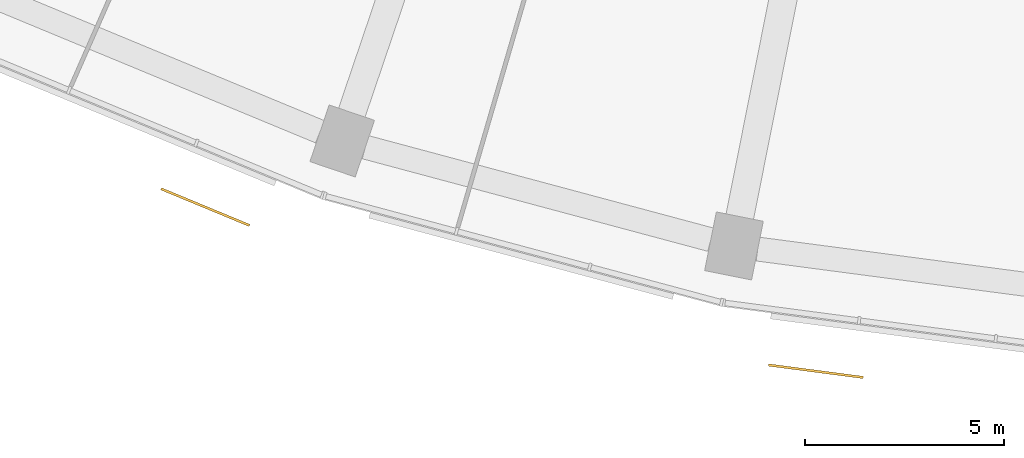
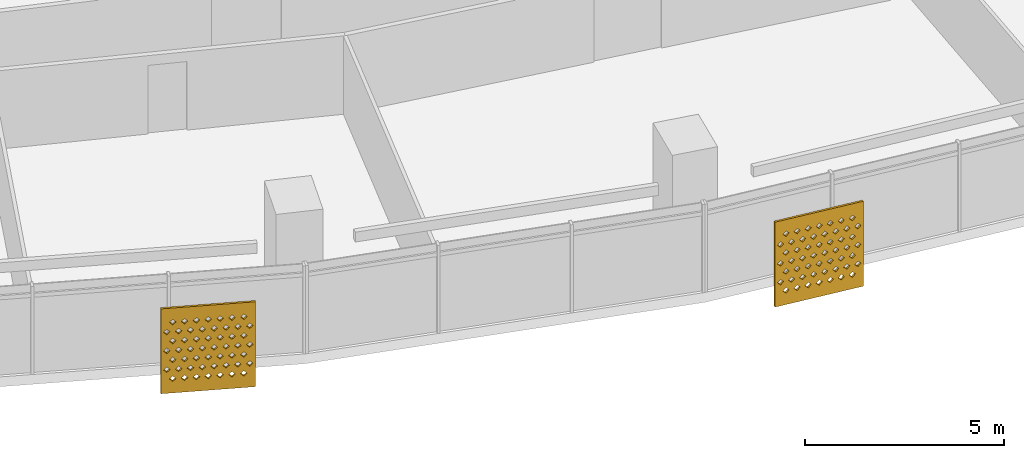
# One storey, part 25 of 29: 2 shading devices.
"""IFC4 building model written with IfcOpenShell, lengths in metres."""

import ifcopenshell
import ifcopenshell.guid

model = None  # the IFC model being written
_history = None  # IfcOwnerHistory: only IFC2X3 demands one
_inside = {}  # id of a spatial element -> (the spatial element, [elements in it])
_under = {}  # id of a project, library or spatial element -> (it, [spatial elements below it])
_declared = {}  # id of a project -> (the project, [libraries it declares])
_typed = {}  # id of a type object -> (the type object, [elements of that type])
_made_of = {}  # id of a material, layer set ... -> (it, [elements and type objects made of it])


def new_model(schema):
    """Start an empty IFC model of exactly this schema.

    Asked for "IFC4X3", IfcOpenShell would pick the latest addendum, in which some entities
    have other attributes; the version numbers below select the first issue.
    IFC2X3 requires an IfcOwnerHistory on every rooted entity: one is made here for all.
    """
    global model, _history
    if schema == "IFC4X3":
        model = ifcopenshell.file(schema_version=(4, 3, 0, 0))
    else:
        model = ifcopenshell.file(schema=schema)
    _inside.clear()
    _under.clear()
    _declared.clear()
    _typed.clear()
    _made_of.clear()
    _history = None
    if model.schema == "IFC2X3":
        org = make("IfcOrganization", Name="unknown")
        user = make(
            "IfcPersonAndOrganization",
            ThePerson=make("IfcPerson", FamilyName="unknown"),
            TheOrganization=org,
        )
        app = make(
            "IfcApplication",
            ApplicationDeveloper=org,
            Version="unknown",
            ApplicationFullName="unknown",
            ApplicationIdentifier="unknown",
        )
        _history = make(
            "IfcOwnerHistory",
            OwningUser=user,
            OwningApplication=app,
            ChangeAction="ADDED",
            CreationDate=0,
        )
    return model


def make(cls, **values):
    """One entity of the class cls with the attributes given. An attribute that is None is left unset."""
    return model.create_entity(
        cls, **{name: value for name, value in values.items() if value is not None}
    )


def rooted(cls, **values):
    """An entity with a GlobalId (a new one), such as an element, a storey or a relation."""
    return make(cls, GlobalId=ifcopenshell.guid.new(), OwnerHistory=_history, **values)


def si_unit(unit_type, name, prefix=None):
    """IfcSIUnit, for example si_unit("LENGTHUNIT", "METRE", prefix="MILLI")."""
    return make("IfcSIUnit", UnitType=unit_type, Prefix=prefix, Name=name)


def assignment(units):
    """IfcUnitAssignment: the units of a project."""
    return None if units is None else make("IfcUnitAssignment", Units=units)


def point(xyz):
    """IfcCartesianPoint."""
    return None if xyz is None else make("IfcCartesianPoint", Coordinates=xyz)


def direction(xyz):
    """IfcDirection."""
    return None if xyz is None else make("IfcDirection", DirectionRatios=xyz)


def frame(location, z_axis=None, x_axis=None):
    """IfcAxis2Placement3D, a coordinate frame: its origin and axes. An axis left out is left unset."""
    return make(
        "IfcAxis2Placement3D",
        Location=point(location),
        Axis=direction(z_axis),
        RefDirection=direction(x_axis),
    )


def origin():
    """The frame at (0, 0, 0) with its axes left unset."""
    return frame((0.0, 0.0, 0.0))


def place(relative_to, where):
    """IfcLocalPlacement: puts the frame where relative to a parent placement (None: the world)."""
    return make(
        "IfcLocalPlacement", PlacementRelTo=relative_to, RelativePlacement=where
    )


def context(
    kind, dimensions, precision=None, world=None, true_north=None, identifier=None
):
    """IfcGeometricRepresentationContext, for example the 3D "Model" context."""
    return make(
        "IfcGeometricRepresentationContext",
        ContextIdentifier=identifier,
        ContextType=kind,
        CoordinateSpaceDimension=dimensions,
        Precision=precision,
        WorldCoordinateSystem=world,
        TrueNorth=true_north,
    )


def subcontext(parent, identifier, kind, view, scale=None):
    """IfcGeometricRepresentationSubContext, for example "Body" below "Model"."""
    return make(
        "IfcGeometricRepresentationSubContext",
        ContextIdentifier=identifier,
        ContextType=kind,
        ParentContext=parent,
        TargetScale=scale,
        TargetView=view,
    )


def project(units=None, contexts=None):
    """IfcProject with its units and contexts."""
    return rooted(
        "IfcProject",
        Name="project",
        RepresentationContexts=contexts,
        UnitsInContext=assignment(units),
    )


def spatial(cls, under=None, at=None, **own):
    """A site, building, storey or space (cls), placed at a placement, below another one or the project."""
    s = rooted(cls, ObjectPlacement=at, **own)
    if under is not None:
        _under.setdefault(under.id(), (under, []))[1].append(s)
    return s


def polyline(points):
    """IfcPolyline through the points."""
    return make("IfcPolyline", Points=[point(p) for p in points])


def outline(outer, holes=None, kind="AREA"):
    """IfcArbitraryClosedProfileDef: a profile drawn as a closed curve; with holes, ...WithVoids."""
    if holes is None:
        return make("IfcArbitraryClosedProfileDef", ProfileType=kind, OuterCurve=outer)
    return make(
        "IfcArbitraryProfileDefWithVoids",
        ProfileType=kind,
        OuterCurve=outer,
        InnerCurves=holes,
    )


def extrude(swept, where, along, depth):
    """IfcExtrudedAreaSolid: the profile swept, set in the frame where, extruded along a direction by depth."""
    return make(
        "IfcExtrudedAreaSolid",
        SweptArea=swept,
        Position=where,
        ExtrudedDirection=direction(along),
        Depth=depth,
    )


def shape(context_of_items, identifier, shape_type, items):
    """IfcShapeRepresentation: the items that make up one representation, for example the "Body"."""
    return make(
        "IfcShapeRepresentation",
        ContextOfItems=context_of_items,
        RepresentationIdentifier=identifier,
        RepresentationType=shape_type,
        Items=items,
    )


def material(Name=None, Category=None):
    """IfcMaterial."""
    return make("IfcMaterial", Name=Name, Category=Category)


def material_profile(
    of_material, cross_section, Name=None, Category=None, Priority=None
):
    """IfcMaterialProfile: a cross section and its material."""
    return make(
        "IfcMaterialProfile",
        Name=Name,
        Material=of_material,
        Profile=cross_section,
        Priority=Priority,
        Category=Category,
    )


def profile_set(profiles, Name=None, composite=None):
    """IfcMaterialProfileSet."""
    return make(
        "IfcMaterialProfileSet",
        Name=Name,
        MaterialProfiles=profiles,
        CompositeProfile=composite,
    )


def made_of(thing, what):
    """Note that an element or type object is made of a material, layer set ...; save() writes the relation."""
    if what is not None:
        _made_of.setdefault(what.id(), (what, []))[1].append(thing)
    return thing


def type_object(cls, material=None, **own):
    """A type object (cls), such as IfcWallType, which elements share."""
    return made_of(rooted(cls, **own), material)


def element(
    cls,
    number,
    at=None,
    inside=None,
    cuts=None,
    type_object=None,
    material=None,
    context=None,
    identifier="Body",
    shape_type=None,
    held_by="IfcProductDefinitionShape",
    body=None,
    shapes=None,
    **own,
):
    """One element of the class cls, such as IfcWall. Its Tag is "e" and its number.

    at: its placement. inside: the storey or other place that contains it. cuts: it is an
    opening in that element (IfcRelVoidsElement). A single representation is given by context,
    identifier, shape_type and body (its items); several are given by shapes. held_by: the class
    of the entity that holds the representations. save() writes the other relations.
    """
    e = rooted(cls, Tag="e%d" % number, ObjectPlacement=at, **own)
    if body is not None:
        shapes = [shape(context, identifier, shape_type, body)]
    if shapes is not None:
        e.Representation = make(held_by, Representations=shapes)
    if inside is not None:
        _inside.setdefault(inside.id(), (inside, []))[1].append(e)
    if cuts is not None:
        rooted(
            "IfcRelVoidsElement", RelatingBuildingElement=cuts, RelatedOpeningElement=e
        )
    if type_object is not None:
        _typed.setdefault(type_object.id(), (type_object, []))[1].append(e)
    return made_of(e, material)


def aggregate(whole, parts):
    """IfcRelAggregates: a whole, such as a stair, and the parts it consists of."""
    return rooted("IfcRelAggregates", RelatingObject=whole, RelatedObjects=parts)


def save(model, path):
    """Write the relations noted so far, then the file.

    IfcRelAggregates (storeys below a building ...), IfcRelContainedInSpatialStructure (elements
    in a storey), IfcRelDefinesByType, IfcRelAssociatesMaterial and IfcRelDeclares: one each for
    every whole, place, type object, material and project.
    """
    for whole, parts in _under.values():
        aggregate(whole, parts)
    for where, things in _inside.values():
        rooted(
            "IfcRelContainedInSpatialStructure",
            RelatedElements=things,
            RelatingStructure=where,
        )
    for kind, things in _typed.values():
        rooted("IfcRelDefinesByType", RelatedObjects=things, RelatingType=kind)
    for what, things in _made_of.values():
        rooted("IfcRelAssociatesMaterial", RelatedObjects=things, RelatingMaterial=what)
    for by, libraries in _declared.values():
        rooted("IfcRelDeclares", RelatingContext=by, RelatedDefinitions=libraries)
    model.write(path)


model = new_model("IFC4")

# Units and contexts
model_context = context("Model", 3, precision=1e-05, world=origin(), true_north=direction((0.0, 1.0)))
body_context = subcontext(model_context, "Body", "Model", "MODEL_VIEW")
ifc_project = project(units=[si_unit("LENGTHUNIT", "METRE"), si_unit("AREAUNIT", "SQUARE_METRE"), si_unit("VOLUMEUNIT", "CUBIC_METRE"), si_unit("PLANEANGLEUNIT", "RADIAN"), si_unit("MASSUNIT", "GRAM", prefix="KILO")], contexts=[model_context])

# Site, building, storey
site_placement = place(None, origin())
site = spatial("IfcSite", under=ifc_project, at=site_placement, CompositionType="ELEMENT")
building_placement = place(site_placement, origin())
building = spatial("IfcBuilding", under=site, at=building_placement, Name="Qamariyya Broadcast Tower", CompositionType="ELEMENT")
storey_placement = place(building_placement, frame((0.0, 0.0, 136.699951171875)))
storey = spatial("IfcBuildingStorey", under=building, at=storey_placement, Name="L31", CompositionType="ELEMENT", Elevation=136.699951171875)

# Shading devices
ifc_material = material(Name="Perforated glazed terracotta", Category="masonry")
ifc_material_profile = material_profile(ifc_material, outline(polyline([(-1.199951171875, -1.300048828125), (1.199951171875, -1.300048828125), (1.199951171875, 1.300048828125), (-1.199951171875, 1.300048828125), (-1.199951171875, -1.300048828125)]), holes=[polyline([(-0.81494140625, -0.86669921875), (-0.89990234375, -0.78173828125), (-0.985107421875, -0.86669921875), (-0.89990234375, -0.95166015625), (-0.81494140625, -0.86669921875)]), polyline([(-0.514892578125, -0.86669921875), (-0.60009765625, -0.78173828125), (-0.68505859375, -0.86669921875), (-0.60009765625, -0.95166015625), (-0.514892578125, -0.86669921875)]), polyline([(-0.215087890625, -0.86669921875), (-0.300048828125, -0.78173828125), (-0.385009765625, -0.86669921875), (-0.300048828125, -0.95166015625), (-0.215087890625, -0.86669921875)]), polyline([(0.0849609375, -0.86669921875), (0.0, -0.78173828125), (-0.0849609375, -0.86669921875), (0.0, -0.95166015625), (0.0849609375, -0.86669921875)]), polyline([(0.385009765625, -0.86669921875), (0.300048828125, -0.78173828125), (0.215087890625, -0.86669921875), (0.300048828125, -0.95166015625), (0.385009765625, -0.86669921875)]), polyline([(0.68505859375, -0.86669921875), (0.60009765625, -0.78173828125), (0.514892578125, -0.86669921875), (0.60009765625, -0.95166015625), (0.68505859375, -0.86669921875)]), polyline([(0.985107421875, -0.86669921875), (0.89990234375, -0.78173828125), (0.81494140625, -0.86669921875), (0.89990234375, -0.95166015625), (0.985107421875, -0.86669921875)]), polyline([(-0.965087890625, -0.577880859375), (-1.050048828125, -0.49267578125), (-1.135009765625, -0.577880859375), (-1.050048828125, -0.662841796875), (-0.965087890625, -0.577880859375)]), polyline([(-0.6650390625, -0.577880859375), (-0.75, -0.49267578125), (-0.8349609375, -0.577880859375), (-0.75, -0.662841796875), (-0.6650390625, -0.577880859375)]), polyline([(-0.364990234375, -0.577880859375), (-0.449951171875, -0.49267578125), (-0.534912109375, -0.577880859375), (-0.449951171875, -0.662841796875), (-0.364990234375, -0.577880859375)]), polyline([(-0.06494140625, -0.577880859375), (-0.14990234375, -0.49267578125), (-0.235107421875, -0.577880859375), (-0.14990234375, -0.662841796875), (-0.06494140625, -0.577880859375)]), polyline([(0.235107421875, -0.577880859375), (0.14990234375, -0.49267578125), (0.06494140625, -0.577880859375), (0.14990234375, -0.662841796875), (0.235107421875, -0.577880859375)]), polyline([(0.534912109375, -0.577880859375), (0.449951171875, -0.49267578125), (0.364990234375, -0.577880859375), (0.449951171875, -0.662841796875), (0.534912109375, -0.577880859375)]), polyline([(0.8349609375, -0.577880859375), (0.75, -0.49267578125), (0.6650390625, -0.577880859375), (0.75, -0.662841796875), (0.8349609375, -0.577880859375)]), polyline([(1.135009765625, -0.577880859375), (1.050048828125, -0.49267578125), (0.965087890625, -0.577880859375), (1.050048828125, -0.662841796875), (1.135009765625, -0.577880859375)]), polyline([(-0.81494140625, -0.288818359375), (-0.89990234375, -0.203857421875), (-0.985107421875, -0.288818359375), (-0.89990234375, -0.373779296875), (-0.81494140625, -0.288818359375)]), polyline([(-0.514892578125, -0.288818359375), (-0.60009765625, -0.203857421875), (-0.68505859375, -0.288818359375), (-0.60009765625, -0.373779296875), (-0.514892578125, -0.288818359375)]), polyline([(-0.215087890625, -0.288818359375), (-0.300048828125, -0.203857421875), (-0.385009765625, -0.288818359375), (-0.300048828125, -0.373779296875), (-0.215087890625, -0.288818359375)]), polyline([(0.0849609375, -0.288818359375), (0.0, -0.203857421875), (-0.0849609375, -0.288818359375), (0.0, -0.373779296875), (0.0849609375, -0.288818359375)]), polyline([(0.385009765625, -0.288818359375), (0.300048828125, -0.203857421875), (0.215087890625, -0.288818359375), (0.300048828125, -0.373779296875), (0.385009765625, -0.288818359375)]), polyline([(0.68505859375, -0.288818359375), (0.60009765625, -0.203857421875), (0.514892578125, -0.288818359375), (0.60009765625, -0.373779296875), (0.68505859375, -0.288818359375)]), polyline([(0.985107421875, -0.288818359375), (0.89990234375, -0.203857421875), (0.81494140625, -0.288818359375), (0.89990234375, -0.373779296875), (0.985107421875, -0.288818359375)]), polyline([(-0.965087890625, 0.0), (-1.050048828125, 0.0849609375), (-1.135009765625, 0.0), (-1.050048828125, -0.0849609375), (-0.965087890625, 0.0)]), polyline([(-0.6650390625, 0.0), (-0.75, 0.0849609375), (-0.8349609375, 0.0), (-0.75, -0.0849609375), (-0.6650390625, 0.0)]), polyline([(-0.364990234375, 0.0), (-0.449951171875, 0.0849609375), (-0.534912109375, 0.0), (-0.449951171875, -0.0849609375), (-0.364990234375, 0.0)]), polyline([(-0.06494140625, 0.0), (-0.14990234375, 0.0849609375), (-0.235107421875, 0.0), (-0.14990234375, -0.0849609375), (-0.06494140625, 0.0)]), polyline([(0.235107421875, 0.0), (0.14990234375, 0.0849609375), (0.06494140625, 0.0), (0.14990234375, -0.0849609375), (0.235107421875, 0.0)]), polyline([(0.534912109375, 0.0), (0.449951171875, 0.0849609375), (0.364990234375, 0.0), (0.449951171875, -0.0849609375), (0.534912109375, 0.0)]), polyline([(0.8349609375, 0.0), (0.75, 0.0849609375), (0.6650390625, 0.0), (0.75, -0.0849609375), (0.8349609375, 0.0)]), polyline([(1.135009765625, 0.0), (1.050048828125, 0.0849609375), (0.965087890625, 0.0), (1.050048828125, -0.0849609375), (1.135009765625, 0.0)]), polyline([(-0.81494140625, 0.288818359375), (-0.89990234375, 0.373779296875), (-0.985107421875, 0.288818359375), (-0.89990234375, 0.203857421875), (-0.81494140625, 0.288818359375)]), polyline([(-0.514892578125, 0.288818359375), (-0.60009765625, 0.373779296875), (-0.68505859375, 0.288818359375), (-0.60009765625, 0.203857421875), (-0.514892578125, 0.288818359375)]), polyline([(-0.215087890625, 0.288818359375), (-0.300048828125, 0.373779296875), (-0.385009765625, 0.288818359375), (-0.300048828125, 0.203857421875), (-0.215087890625, 0.288818359375)]), polyline([(0.0849609375, 0.288818359375), (0.0, 0.373779296875), (-0.0849609375, 0.288818359375), (0.0, 0.203857421875), (0.0849609375, 0.288818359375)]), polyline([(0.385009765625, 0.288818359375), (0.300048828125, 0.373779296875), (0.215087890625, 0.288818359375), (0.300048828125, 0.203857421875), (0.385009765625, 0.288818359375)]), polyline([(0.68505859375, 0.288818359375), (0.60009765625, 0.373779296875), (0.514892578125, 0.288818359375), (0.60009765625, 0.203857421875), (0.68505859375, 0.288818359375)]), polyline([(0.985107421875, 0.288818359375), (0.89990234375, 0.373779296875), (0.81494140625, 0.288818359375), (0.89990234375, 0.203857421875), (0.985107421875, 0.288818359375)]), polyline([(-0.965087890625, 0.577880859375), (-1.050048828125, 0.662841796875), (-1.135009765625, 0.577880859375), (-1.050048828125, 0.49267578125), (-0.965087890625, 0.577880859375)]), polyline([(-0.6650390625, 0.577880859375), (-0.75, 0.662841796875), (-0.8349609375, 0.577880859375), (-0.75, 0.49267578125), (-0.6650390625, 0.577880859375)]), polyline([(-0.364990234375, 0.577880859375), (-0.449951171875, 0.662841796875), (-0.534912109375, 0.577880859375), (-0.449951171875, 0.49267578125), (-0.364990234375, 0.577880859375)]), polyline([(-0.06494140625, 0.577880859375), (-0.14990234375, 0.662841796875), (-0.235107421875, 0.577880859375), (-0.14990234375, 0.49267578125), (-0.06494140625, 0.577880859375)]), polyline([(0.235107421875, 0.577880859375), (0.14990234375, 0.662841796875), (0.06494140625, 0.577880859375), (0.14990234375, 0.49267578125), (0.235107421875, 0.577880859375)]), polyline([(0.534912109375, 0.577880859375), (0.449951171875, 0.662841796875), (0.364990234375, 0.577880859375), (0.449951171875, 0.49267578125), (0.534912109375, 0.577880859375)]), polyline([(0.8349609375, 0.577880859375), (0.75, 0.662841796875), (0.6650390625, 0.577880859375), (0.75, 0.49267578125), (0.8349609375, 0.577880859375)]), polyline([(1.135009765625, 0.577880859375), (1.050048828125, 0.662841796875), (0.965087890625, 0.577880859375), (1.050048828125, 0.49267578125), (1.135009765625, 0.577880859375)]), polyline([(-0.81494140625, 0.86669921875), (-0.89990234375, 0.95166015625), (-0.985107421875, 0.86669921875), (-0.89990234375, 0.78173828125), (-0.81494140625, 0.86669921875)]), polyline([(-0.514892578125, 0.86669921875), (-0.60009765625, 0.95166015625), (-0.68505859375, 0.86669921875), (-0.60009765625, 0.78173828125), (-0.514892578125, 0.86669921875)]), polyline([(-0.215087890625, 0.86669921875), (-0.300048828125, 0.95166015625), (-0.385009765625, 0.86669921875), (-0.300048828125, 0.78173828125), (-0.215087890625, 0.86669921875)]), polyline([(0.0849609375, 0.86669921875), (0.0, 0.95166015625), (-0.0849609375, 0.86669921875), (0.0, 0.78173828125), (0.0849609375, 0.86669921875)]), polyline([(0.385009765625, 0.86669921875), (0.300048828125, 0.95166015625), (0.215087890625, 0.86669921875), (0.300048828125, 0.78173828125), (0.385009765625, 0.86669921875)]), polyline([(0.68505859375, 0.86669921875), (0.60009765625, 0.95166015625), (0.514892578125, 0.86669921875), (0.60009765625, 0.78173828125), (0.68505859375, 0.86669921875)]), polyline([(0.985107421875, 0.86669921875), (0.89990234375, 0.95166015625), (0.81494140625, 0.86669921875), (0.89990234375, 0.78173828125), (0.985107421875, 0.86669921875)])]))
ifc_profile_set = profile_set([ifc_material_profile], Name="Perforated glazed terracotta")
shading_device_type = type_object("IfcShadingDeviceType", Name="Perforated terracotta screen 2400 x 2600", PredefinedType="USERDEFINED", material=ifc_profile_set)
shading_device_1_placement = place(storey_placement, frame((-28.4150390625, -75.254638671875, 1.35009765625), z_axis=(-0.382591441855, -0.923917630863, 0.0), x_axis=(0.923917630863, -0.382591441855, 0.0)))
element("IfcShadingDevice", 1, at=shading_device_1_placement, inside=storey, type_object=shading_device_type, Name="e-scr-L31-06-2", ObjectType="SCREEN", PredefinedType="USERDEFINED", context=body_context, shape_type="SweptSolid", body=[
    extrude(outline(polyline([(-1.199951171875, -1.300048828125), (1.199951171875, -1.300048828125), (1.199951171875, 1.300048828125), (-1.199951171875, 1.300048828125), (-1.199951171875, -1.300048828125)]), holes=[polyline([(-0.81494140625, -0.86669921875), (-0.89990234375, -0.78173828125), (-0.985107421875, -0.86669921875), (-0.89990234375, -0.95166015625), (-0.81494140625, -0.86669921875)]), polyline([(-0.514892578125, -0.86669921875), (-0.60009765625, -0.78173828125), (-0.68505859375, -0.86669921875), (-0.60009765625, -0.95166015625), (-0.514892578125, -0.86669921875)]), polyline([(-0.215087890625, -0.86669921875), (-0.300048828125, -0.78173828125), (-0.385009765625, -0.86669921875), (-0.300048828125, -0.95166015625), (-0.215087890625, -0.86669921875)]), polyline([(0.0849609375, -0.86669921875), (0.0, -0.78173828125), (-0.0849609375, -0.86669921875), (0.0, -0.95166015625), (0.0849609375, -0.86669921875)]), polyline([(0.385009765625, -0.86669921875), (0.300048828125, -0.78173828125), (0.215087890625, -0.86669921875), (0.300048828125, -0.95166015625), (0.385009765625, -0.86669921875)]), polyline([(0.68505859375, -0.86669921875), (0.60009765625, -0.78173828125), (0.514892578125, -0.86669921875), (0.60009765625, -0.95166015625), (0.68505859375, -0.86669921875)]), polyline([(0.985107421875, -0.86669921875), (0.89990234375, -0.78173828125), (0.81494140625, -0.86669921875), (0.89990234375, -0.95166015625), (0.985107421875, -0.86669921875)]), polyline([(-0.965087890625, -0.577880859375), (-1.050048828125, -0.49267578125), (-1.135009765625, -0.577880859375), (-1.050048828125, -0.662841796875), (-0.965087890625, -0.577880859375)]), polyline([(-0.6650390625, -0.577880859375), (-0.75, -0.49267578125), (-0.8349609375, -0.577880859375), (-0.75, -0.662841796875), (-0.6650390625, -0.577880859375)]), polyline([(-0.364990234375, -0.577880859375), (-0.449951171875, -0.49267578125), (-0.534912109375, -0.577880859375), (-0.449951171875, -0.662841796875), (-0.364990234375, -0.577880859375)]), polyline([(-0.06494140625, -0.577880859375), (-0.14990234375, -0.49267578125), (-0.235107421875, -0.577880859375), (-0.14990234375, -0.662841796875), (-0.06494140625, -0.577880859375)]), polyline([(0.235107421875, -0.577880859375), (0.14990234375, -0.49267578125), (0.06494140625, -0.577880859375), (0.14990234375, -0.662841796875), (0.235107421875, -0.577880859375)]), polyline([(0.534912109375, -0.577880859375), (0.449951171875, -0.49267578125), (0.364990234375, -0.577880859375), (0.449951171875, -0.662841796875), (0.534912109375, -0.577880859375)]), polyline([(0.8349609375, -0.577880859375), (0.75, -0.49267578125), (0.6650390625, -0.577880859375), (0.75, -0.662841796875), (0.8349609375, -0.577880859375)]), polyline([(1.135009765625, -0.577880859375), (1.050048828125, -0.49267578125), (0.965087890625, -0.577880859375), (1.050048828125, -0.662841796875), (1.135009765625, -0.577880859375)]), polyline([(-0.81494140625, -0.288818359375), (-0.89990234375, -0.203857421875), (-0.985107421875, -0.288818359375), (-0.89990234375, -0.373779296875), (-0.81494140625, -0.288818359375)]), polyline([(-0.514892578125, -0.288818359375), (-0.60009765625, -0.203857421875), (-0.68505859375, -0.288818359375), (-0.60009765625, -0.373779296875), (-0.514892578125, -0.288818359375)]), polyline([(-0.215087890625, -0.288818359375), (-0.300048828125, -0.203857421875), (-0.385009765625, -0.288818359375), (-0.300048828125, -0.373779296875), (-0.215087890625, -0.288818359375)]), polyline([(0.0849609375, -0.288818359375), (0.0, -0.203857421875), (-0.0849609375, -0.288818359375), (0.0, -0.373779296875), (0.0849609375, -0.288818359375)]), polyline([(0.385009765625, -0.288818359375), (0.300048828125, -0.203857421875), (0.215087890625, -0.288818359375), (0.300048828125, -0.373779296875), (0.385009765625, -0.288818359375)]), polyline([(0.68505859375, -0.288818359375), (0.60009765625, -0.203857421875), (0.514892578125, -0.288818359375), (0.60009765625, -0.373779296875), (0.68505859375, -0.288818359375)]), polyline([(0.985107421875, -0.288818359375), (0.89990234375, -0.203857421875), (0.81494140625, -0.288818359375), (0.89990234375, -0.373779296875), (0.985107421875, -0.288818359375)]), polyline([(-0.965087890625, 0.0), (-1.050048828125, 0.0849609375), (-1.135009765625, 0.0), (-1.050048828125, -0.0849609375), (-0.965087890625, 0.0)]), polyline([(-0.6650390625, 0.0), (-0.75, 0.0849609375), (-0.8349609375, 0.0), (-0.75, -0.0849609375), (-0.6650390625, 0.0)]), polyline([(-0.364990234375, 0.0), (-0.449951171875, 0.0849609375), (-0.534912109375, 0.0), (-0.449951171875, -0.0849609375), (-0.364990234375, 0.0)]), polyline([(-0.06494140625, 0.0), (-0.14990234375, 0.0849609375), (-0.235107421875, 0.0), (-0.14990234375, -0.0849609375), (-0.06494140625, 0.0)]), polyline([(0.235107421875, 0.0), (0.14990234375, 0.0849609375), (0.06494140625, 0.0), (0.14990234375, -0.0849609375), (0.235107421875, 0.0)]), polyline([(0.534912109375, 0.0), (0.449951171875, 0.0849609375), (0.364990234375, 0.0), (0.449951171875, -0.0849609375), (0.534912109375, 0.0)]), polyline([(0.8349609375, 0.0), (0.75, 0.0849609375), (0.6650390625, 0.0), (0.75, -0.0849609375), (0.8349609375, 0.0)]), polyline([(1.135009765625, 0.0), (1.050048828125, 0.0849609375), (0.965087890625, 0.0), (1.050048828125, -0.0849609375), (1.135009765625, 0.0)]), polyline([(-0.81494140625, 0.288818359375), (-0.89990234375, 0.373779296875), (-0.985107421875, 0.288818359375), (-0.89990234375, 0.203857421875), (-0.81494140625, 0.288818359375)]), polyline([(-0.514892578125, 0.288818359375), (-0.60009765625, 0.373779296875), (-0.68505859375, 0.288818359375), (-0.60009765625, 0.203857421875), (-0.514892578125, 0.288818359375)]), polyline([(-0.215087890625, 0.288818359375), (-0.300048828125, 0.373779296875), (-0.385009765625, 0.288818359375), (-0.300048828125, 0.203857421875), (-0.215087890625, 0.288818359375)]), polyline([(0.0849609375, 0.288818359375), (0.0, 0.373779296875), (-0.0849609375, 0.288818359375), (0.0, 0.203857421875), (0.0849609375, 0.288818359375)]), polyline([(0.385009765625, 0.288818359375), (0.300048828125, 0.373779296875), (0.215087890625, 0.288818359375), (0.300048828125, 0.203857421875), (0.385009765625, 0.288818359375)]), polyline([(0.68505859375, 0.288818359375), (0.60009765625, 0.373779296875), (0.514892578125, 0.288818359375), (0.60009765625, 0.203857421875), (0.68505859375, 0.288818359375)]), polyline([(0.985107421875, 0.288818359375), (0.89990234375, 0.373779296875), (0.81494140625, 0.288818359375), (0.89990234375, 0.203857421875), (0.985107421875, 0.288818359375)]), polyline([(-0.965087890625, 0.577880859375), (-1.050048828125, 0.662841796875), (-1.135009765625, 0.577880859375), (-1.050048828125, 0.49267578125), (-0.965087890625, 0.577880859375)]), polyline([(-0.6650390625, 0.577880859375), (-0.75, 0.662841796875), (-0.8349609375, 0.577880859375), (-0.75, 0.49267578125), (-0.6650390625, 0.577880859375)]), polyline([(-0.364990234375, 0.577880859375), (-0.449951171875, 0.662841796875), (-0.534912109375, 0.577880859375), (-0.449951171875, 0.49267578125), (-0.364990234375, 0.577880859375)]), polyline([(-0.06494140625, 0.577880859375), (-0.14990234375, 0.662841796875), (-0.235107421875, 0.577880859375), (-0.14990234375, 0.49267578125), (-0.06494140625, 0.577880859375)]), polyline([(0.235107421875, 0.577880859375), (0.14990234375, 0.662841796875), (0.06494140625, 0.577880859375), (0.14990234375, 0.49267578125), (0.235107421875, 0.577880859375)]), polyline([(0.534912109375, 0.577880859375), (0.449951171875, 0.662841796875), (0.364990234375, 0.577880859375), (0.449951171875, 0.49267578125), (0.534912109375, 0.577880859375)]), polyline([(0.8349609375, 0.577880859375), (0.75, 0.662841796875), (0.6650390625, 0.577880859375), (0.75, 0.49267578125), (0.8349609375, 0.577880859375)]), polyline([(1.135009765625, 0.577880859375), (1.050048828125, 0.662841796875), (0.965087890625, 0.577880859375), (1.050048828125, 0.49267578125), (1.135009765625, 0.577880859375)]), polyline([(-0.81494140625, 0.86669921875), (-0.89990234375, 0.95166015625), (-0.985107421875, 0.86669921875), (-0.89990234375, 0.78173828125), (-0.81494140625, 0.86669921875)]), polyline([(-0.514892578125, 0.86669921875), (-0.60009765625, 0.95166015625), (-0.68505859375, 0.86669921875), (-0.60009765625, 0.78173828125), (-0.514892578125, 0.86669921875)]), polyline([(-0.215087890625, 0.86669921875), (-0.300048828125, 0.95166015625), (-0.385009765625, 0.86669921875), (-0.300048828125, 0.78173828125), (-0.215087890625, 0.86669921875)]), polyline([(0.0849609375, 0.86669921875), (0.0, 0.95166015625), (-0.0849609375, 0.86669921875), (0.0, 0.78173828125), (0.0849609375, 0.86669921875)]), polyline([(0.385009765625, 0.86669921875), (0.300048828125, 0.95166015625), (0.215087890625, 0.86669921875), (0.300048828125, 0.78173828125), (0.385009765625, 0.86669921875)]), polyline([(0.68505859375, 0.86669921875), (0.60009765625, 0.95166015625), (0.514892578125, 0.86669921875), (0.60009765625, 0.78173828125), (0.68505859375, 0.86669921875)]), polyline([(0.985107421875, 0.86669921875), (0.89990234375, 0.95166015625), (0.81494140625, 0.86669921875), (0.89990234375, 0.78173828125), (0.985107421875, 0.86669921875)])]), origin(), (0.0, 0.0, 1.0), 0.06005859375),
])
shading_device_2_placement = place(storey_placement, frame((-13.111572265625, -79.367919921875, 1.35009765625), z_axis=(-0.13056005306, -0.991440402921, 0.0), x_axis=(0.991440402921, -0.13056005306, 0.0)))
element("IfcShadingDevice", 2, at=shading_device_2_placement, inside=storey, type_object=shading_device_type, Name="e-scr-L31-08-0", ObjectType="SCREEN", PredefinedType="USERDEFINED", context=body_context, shape_type="SweptSolid", body=[
    extrude(outline(polyline([(-1.199951171875, -1.300048828125), (1.199951171875, -1.300048828125), (1.199951171875, 1.300048828125), (-1.199951171875, 1.300048828125), (-1.199951171875, -1.300048828125)]), holes=[polyline([(-0.81494140625, -0.86669921875), (-0.89990234375, -0.78173828125), (-0.985107421875, -0.86669921875), (-0.89990234375, -0.95166015625), (-0.81494140625, -0.86669921875)]), polyline([(-0.514892578125, -0.86669921875), (-0.60009765625, -0.78173828125), (-0.68505859375, -0.86669921875), (-0.60009765625, -0.95166015625), (-0.514892578125, -0.86669921875)]), polyline([(-0.215087890625, -0.86669921875), (-0.300048828125, -0.78173828125), (-0.385009765625, -0.86669921875), (-0.300048828125, -0.95166015625), (-0.215087890625, -0.86669921875)]), polyline([(0.0849609375, -0.86669921875), (0.0, -0.78173828125), (-0.0849609375, -0.86669921875), (0.0, -0.95166015625), (0.0849609375, -0.86669921875)]), polyline([(0.385009765625, -0.86669921875), (0.300048828125, -0.78173828125), (0.215087890625, -0.86669921875), (0.300048828125, -0.95166015625), (0.385009765625, -0.86669921875)]), polyline([(0.68505859375, -0.86669921875), (0.60009765625, -0.78173828125), (0.514892578125, -0.86669921875), (0.60009765625, -0.95166015625), (0.68505859375, -0.86669921875)]), polyline([(0.985107421875, -0.86669921875), (0.89990234375, -0.78173828125), (0.81494140625, -0.86669921875), (0.89990234375, -0.95166015625), (0.985107421875, -0.86669921875)]), polyline([(-0.965087890625, -0.577880859375), (-1.050048828125, -0.49267578125), (-1.135009765625, -0.577880859375), (-1.050048828125, -0.662841796875), (-0.965087890625, -0.577880859375)]), polyline([(-0.6650390625, -0.577880859375), (-0.75, -0.49267578125), (-0.8349609375, -0.577880859375), (-0.75, -0.662841796875), (-0.6650390625, -0.577880859375)]), polyline([(-0.364990234375, -0.577880859375), (-0.449951171875, -0.49267578125), (-0.534912109375, -0.577880859375), (-0.449951171875, -0.662841796875), (-0.364990234375, -0.577880859375)]), polyline([(-0.06494140625, -0.577880859375), (-0.14990234375, -0.49267578125), (-0.235107421875, -0.577880859375), (-0.14990234375, -0.662841796875), (-0.06494140625, -0.577880859375)]), polyline([(0.235107421875, -0.577880859375), (0.14990234375, -0.49267578125), (0.06494140625, -0.577880859375), (0.14990234375, -0.662841796875), (0.235107421875, -0.577880859375)]), polyline([(0.534912109375, -0.577880859375), (0.449951171875, -0.49267578125), (0.364990234375, -0.577880859375), (0.449951171875, -0.662841796875), (0.534912109375, -0.577880859375)]), polyline([(0.8349609375, -0.577880859375), (0.75, -0.49267578125), (0.6650390625, -0.577880859375), (0.75, -0.662841796875), (0.8349609375, -0.577880859375)]), polyline([(1.135009765625, -0.577880859375), (1.050048828125, -0.49267578125), (0.965087890625, -0.577880859375), (1.050048828125, -0.662841796875), (1.135009765625, -0.577880859375)]), polyline([(-0.81494140625, -0.288818359375), (-0.89990234375, -0.203857421875), (-0.985107421875, -0.288818359375), (-0.89990234375, -0.373779296875), (-0.81494140625, -0.288818359375)]), polyline([(-0.514892578125, -0.288818359375), (-0.60009765625, -0.203857421875), (-0.68505859375, -0.288818359375), (-0.60009765625, -0.373779296875), (-0.514892578125, -0.288818359375)]), polyline([(-0.215087890625, -0.288818359375), (-0.300048828125, -0.203857421875), (-0.385009765625, -0.288818359375), (-0.300048828125, -0.373779296875), (-0.215087890625, -0.288818359375)]), polyline([(0.0849609375, -0.288818359375), (0.0, -0.203857421875), (-0.0849609375, -0.288818359375), (0.0, -0.373779296875), (0.0849609375, -0.288818359375)]), polyline([(0.385009765625, -0.288818359375), (0.300048828125, -0.203857421875), (0.215087890625, -0.288818359375), (0.300048828125, -0.373779296875), (0.385009765625, -0.288818359375)]), polyline([(0.68505859375, -0.288818359375), (0.60009765625, -0.203857421875), (0.514892578125, -0.288818359375), (0.60009765625, -0.373779296875), (0.68505859375, -0.288818359375)]), polyline([(0.985107421875, -0.288818359375), (0.89990234375, -0.203857421875), (0.81494140625, -0.288818359375), (0.89990234375, -0.373779296875), (0.985107421875, -0.288818359375)]), polyline([(-0.965087890625, 0.0), (-1.050048828125, 0.0849609375), (-1.135009765625, 0.0), (-1.050048828125, -0.0849609375), (-0.965087890625, 0.0)]), polyline([(-0.6650390625, 0.0), (-0.75, 0.0849609375), (-0.8349609375, 0.0), (-0.75, -0.0849609375), (-0.6650390625, 0.0)]), polyline([(-0.364990234375, 0.0), (-0.449951171875, 0.0849609375), (-0.534912109375, 0.0), (-0.449951171875, -0.0849609375), (-0.364990234375, 0.0)]), polyline([(-0.06494140625, 0.0), (-0.14990234375, 0.0849609375), (-0.235107421875, 0.0), (-0.14990234375, -0.0849609375), (-0.06494140625, 0.0)]), polyline([(0.235107421875, 0.0), (0.14990234375, 0.0849609375), (0.06494140625, 0.0), (0.14990234375, -0.0849609375), (0.235107421875, 0.0)]), polyline([(0.534912109375, 0.0), (0.449951171875, 0.0849609375), (0.364990234375, 0.0), (0.449951171875, -0.0849609375), (0.534912109375, 0.0)]), polyline([(0.8349609375, 0.0), (0.75, 0.0849609375), (0.6650390625, 0.0), (0.75, -0.0849609375), (0.8349609375, 0.0)]), polyline([(1.135009765625, 0.0), (1.050048828125, 0.0849609375), (0.965087890625, 0.0), (1.050048828125, -0.0849609375), (1.135009765625, 0.0)]), polyline([(-0.81494140625, 0.288818359375), (-0.89990234375, 0.373779296875), (-0.985107421875, 0.288818359375), (-0.89990234375, 0.203857421875), (-0.81494140625, 0.288818359375)]), polyline([(-0.514892578125, 0.288818359375), (-0.60009765625, 0.373779296875), (-0.68505859375, 0.288818359375), (-0.60009765625, 0.203857421875), (-0.514892578125, 0.288818359375)]), polyline([(-0.215087890625, 0.288818359375), (-0.300048828125, 0.373779296875), (-0.385009765625, 0.288818359375), (-0.300048828125, 0.203857421875), (-0.215087890625, 0.288818359375)]), polyline([(0.0849609375, 0.288818359375), (0.0, 0.373779296875), (-0.0849609375, 0.288818359375), (0.0, 0.203857421875), (0.0849609375, 0.288818359375)]), polyline([(0.385009765625, 0.288818359375), (0.300048828125, 0.373779296875), (0.215087890625, 0.288818359375), (0.300048828125, 0.203857421875), (0.385009765625, 0.288818359375)]), polyline([(0.68505859375, 0.288818359375), (0.60009765625, 0.373779296875), (0.514892578125, 0.288818359375), (0.60009765625, 0.203857421875), (0.68505859375, 0.288818359375)]), polyline([(0.985107421875, 0.288818359375), (0.89990234375, 0.373779296875), (0.81494140625, 0.288818359375), (0.89990234375, 0.203857421875), (0.985107421875, 0.288818359375)]), polyline([(-0.965087890625, 0.577880859375), (-1.050048828125, 0.662841796875), (-1.135009765625, 0.577880859375), (-1.050048828125, 0.49267578125), (-0.965087890625, 0.577880859375)]), polyline([(-0.6650390625, 0.577880859375), (-0.75, 0.662841796875), (-0.8349609375, 0.577880859375), (-0.75, 0.49267578125), (-0.6650390625, 0.577880859375)]), polyline([(-0.364990234375, 0.577880859375), (-0.449951171875, 0.662841796875), (-0.534912109375, 0.577880859375), (-0.449951171875, 0.49267578125), (-0.364990234375, 0.577880859375)]), polyline([(-0.06494140625, 0.577880859375), (-0.14990234375, 0.662841796875), (-0.235107421875, 0.577880859375), (-0.14990234375, 0.49267578125), (-0.06494140625, 0.577880859375)]), polyline([(0.235107421875, 0.577880859375), (0.14990234375, 0.662841796875), (0.06494140625, 0.577880859375), (0.14990234375, 0.49267578125), (0.235107421875, 0.577880859375)]), polyline([(0.534912109375, 0.577880859375), (0.449951171875, 0.662841796875), (0.364990234375, 0.577880859375), (0.449951171875, 0.49267578125), (0.534912109375, 0.577880859375)]), polyline([(0.8349609375, 0.577880859375), (0.75, 0.662841796875), (0.6650390625, 0.577880859375), (0.75, 0.49267578125), (0.8349609375, 0.577880859375)]), polyline([(1.135009765625, 0.577880859375), (1.050048828125, 0.662841796875), (0.965087890625, 0.577880859375), (1.050048828125, 0.49267578125), (1.135009765625, 0.577880859375)]), polyline([(-0.81494140625, 0.86669921875), (-0.89990234375, 0.95166015625), (-0.985107421875, 0.86669921875), (-0.89990234375, 0.78173828125), (-0.81494140625, 0.86669921875)]), polyline([(-0.514892578125, 0.86669921875), (-0.60009765625, 0.95166015625), (-0.68505859375, 0.86669921875), (-0.60009765625, 0.78173828125), (-0.514892578125, 0.86669921875)]), polyline([(-0.215087890625, 0.86669921875), (-0.300048828125, 0.95166015625), (-0.385009765625, 0.86669921875), (-0.300048828125, 0.78173828125), (-0.215087890625, 0.86669921875)]), polyline([(0.0849609375, 0.86669921875), (0.0, 0.95166015625), (-0.0849609375, 0.86669921875), (0.0, 0.78173828125), (0.0849609375, 0.86669921875)]), polyline([(0.385009765625, 0.86669921875), (0.300048828125, 0.95166015625), (0.215087890625, 0.86669921875), (0.300048828125, 0.78173828125), (0.385009765625, 0.86669921875)]), polyline([(0.68505859375, 0.86669921875), (0.60009765625, 0.95166015625), (0.514892578125, 0.86669921875), (0.60009765625, 0.78173828125), (0.68505859375, 0.86669921875)]), polyline([(0.985107421875, 0.86669921875), (0.89990234375, 0.95166015625), (0.81494140625, 0.86669921875), (0.89990234375, 0.78173828125), (0.985107421875, 0.86669921875)])]), origin(), (0.0, 0.0, 1.0), 0.059814453125),
])

save(model, "model.ifc")
